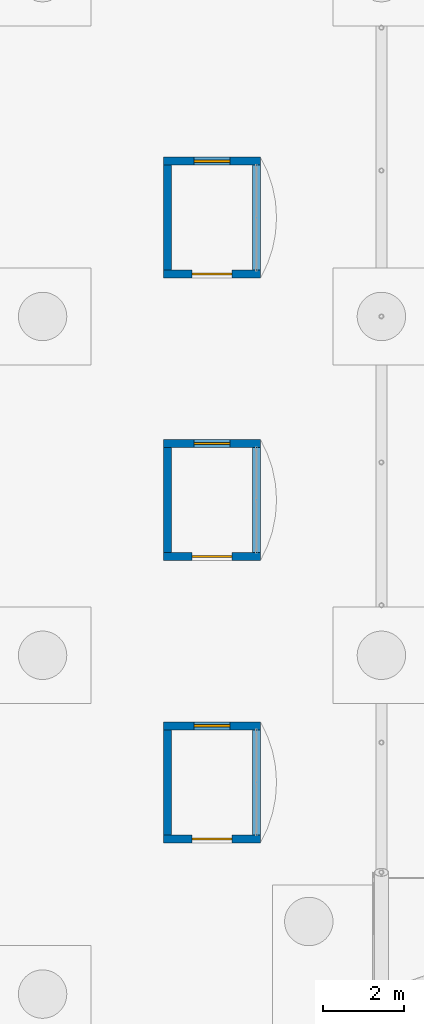
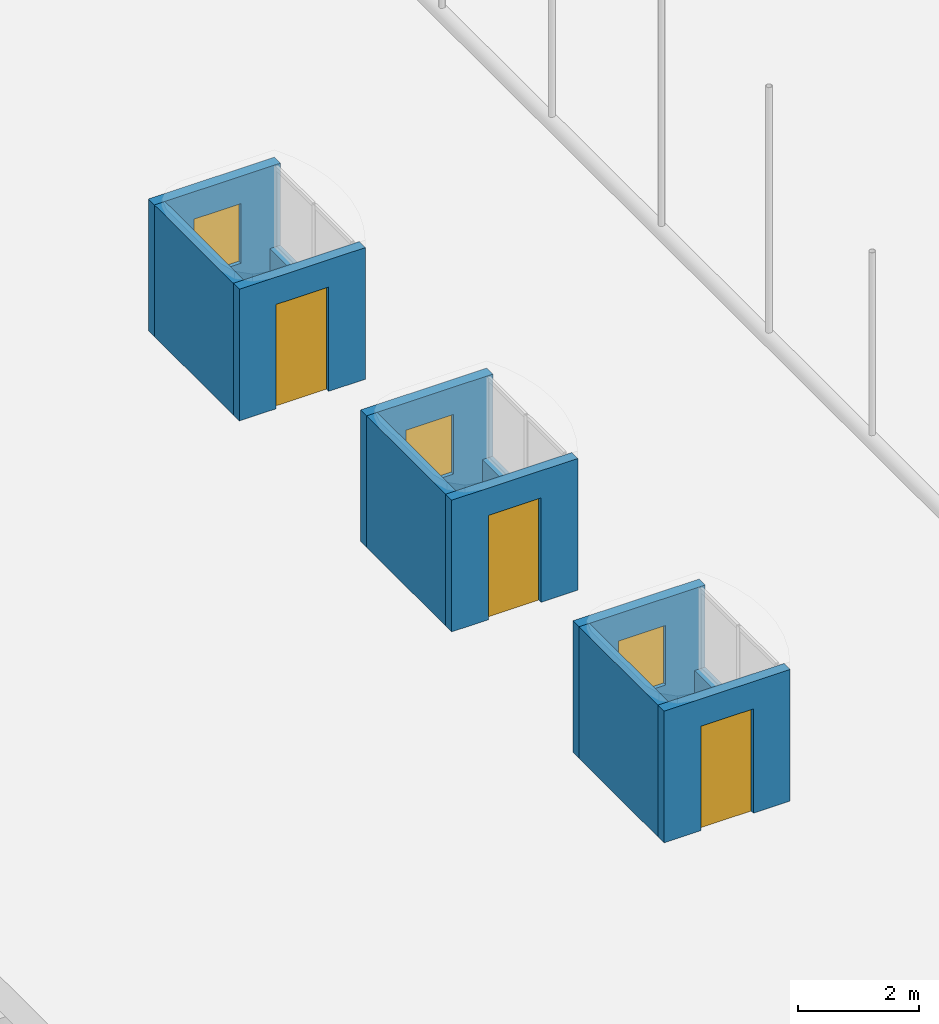
# One storey, part 179 of 212: 12 walls, 3 doors, 3 windows, 6 openings.
"""IFC4 building model written with IfcOpenShell, lengths in metres."""

from ifc_helpers import new_model, si_unit, direction, frame, frame_2d, origin, place, context, subcontext, project, spatial, rectangle, extrude, material, layer, layer_set, type_object, element, fill, save


model = new_model("IFC4")

# Units and contexts
model_context = context("Model", 3, precision=1e-05, world=origin(), true_north=direction((0.0, 1.0)))
body_context = subcontext(model_context, "Body", "Model", "MODEL_VIEW")
ifc_project = project(units=[si_unit("LENGTHUNIT", "METRE"), si_unit("AREAUNIT", "SQUARE_METRE"), si_unit("VOLUMEUNIT", "CUBIC_METRE"), si_unit("PLANEANGLEUNIT", "RADIAN"), si_unit("MASSUNIT", "GRAM", prefix="KILO")], contexts=[model_context])

# Site, building, storey
site_placement = place(None, origin())
site = spatial("IfcSite", under=ifc_project, at=site_placement, CompositionType="ELEMENT")
building_placement = place(site_placement, origin())
building = spatial("IfcBuilding", under=site, at=building_placement, Name="Catenary Quay Ferry Terminal", CompositionType="ELEMENT")
storey_placement = place(building_placement, origin())
storey = spatial("IfcBuildingStorey", under=building, at=storey_placement, Name="L00", CompositionType="ELEMENT", Elevation=0.0)

# Wall, opening, door
ifc_material_1 = material(Name="Masonry and insulation", Category="masonry")
ifc_layer = layer(ifc_material_1, 0.199951171875)
ifc_layer_set = layer_set([ifc_layer], Name="EW3")
wall_type = type_object("IfcWallType", Name="EW3", PredefinedType="SOLIDWALL", material=ifc_layer_set)
wall_1_placement = place(storey_placement, frame((11.39990234375, 20.64990234375, 0.0), z_axis=(0.0, 0.0, 1.0), x_axis=(1.0, 0.0, 0.0)))
wall_1 = element("IfcWall", 1, at=wall_1_placement, inside=storey, type_object=wall_type, Name="Booth wall WL234", PredefinedType="SOLIDWALL", context=body_context, shape_type="SweptSolid", body=[
    extrude(rectangle(XDim=2.400146484375, YDim=0.199951171875, at=frame_2d((1.2001953125, 0.0))), origin(), (0.0, 0.0, 1.0), 2.64990234375),
])
opening_1_placement = place(wall_1_placement, frame((0.699951171875, 0.0, 0.0)))
opening_1 = element("IfcOpeningElement", 2, at=opening_1_placement, cuts=wall_1, Name="Opening D36", PredefinedType="OPENING", context=body_context, shape_type="SweptSolid", body=[
    extrude(rectangle(XDim=1.0, YDim=2.10009765625, at=frame_2d((0.5, 1.050048828125))), frame((0.0, 0.10986328125, 0.0), z_axis=(0.0, -1.0, 0.0), x_axis=(1.0, 0.0, 0.0)), (0.0, 0.0, 1.0), 0.219970703125),
])
ifc_material_2 = material(Name="Steel", Category="steel")
door_type = type_object("IfcDoorType", Name="DX8", OperationType="SINGLE_SWING_LEFT", PredefinedType="DOOR", material=ifc_material_2)
door_1_placement = place(opening_1_placement, frame((1.0, 0.0, 0.0), z_axis=(0.0, 0.0, 1.0), x_axis=(-1.0, 0.0, 0.0)))
door_1 = element("IfcDoor", 3, at=door_1_placement, inside=storey, type_object=door_type, Name="Booth door D36", OperationType="SINGLE_SWING_RIGHT", OverallHeight=2.10009765625, OverallWidth=1.0, PredefinedType="DOOR", context=body_context, shape_type="SweptSolid", body=[
    extrude(rectangle(XDim=1.0, YDim=2.10009765625, at=frame_2d((0.5, 1.050048828125))), frame((0.0, 0.02490234375, 0.0), z_axis=(0.0, -1.0, 0.0), x_axis=(1.0, 0.0, 0.0)), (0.0, 0.0, 1.0), 0.050048828125),
])
fill(opening_1, door_1)

# Wall, opening, window
wall_2_placement = place(storey_placement, frame((11.39990234375, 23.449951171875, 0.0), z_axis=(0.0, 0.0, 1.0), x_axis=(1.0, 0.0, 0.0)))
wall_2 = element("IfcWall", 4, at=wall_2_placement, inside=storey, type_object=wall_type, Name="Booth wall WL235", PredefinedType="SOLIDWALL", context=body_context, shape_type="SweptSolid", body=[
    extrude(rectangle(XDim=2.400146484375, YDim=0.199951171875, at=frame_2d((1.2001953125, 0.0))), origin(), (0.0, 0.0, 1.0), 2.64990234375),
])
opening_2_placement = place(wall_2_placement, frame((0.75, 0.0, 0.89990234375)))
opening_2 = element("IfcOpeningElement", 5, at=opening_2_placement, cuts=wall_2, Name="Opening W48", PredefinedType="OPENING", context=body_context, shape_type="SweptSolid", body=[
    extrude(rectangle(XDim=0.89990234375, YDim=1.199951171875, at=frame_2d((0.449951171875, 0.60009765625))), frame((0.0, 0.10986328125, 0.0), z_axis=(0.0, -1.0, 0.0), x_axis=(1.0, 0.0, 0.0)), (0.0, 0.0, 1.0), 0.219970703125),
])
ifc_material_3 = material(Name="Aluminium and glass", Category="aluminium")
window_type = type_object("IfcWindowType", Name="WB2", PartitioningType="SINGLE_PANEL", PredefinedType="WINDOW", material=ifc_material_3)
window_1_placement = place(opening_2_placement, origin())
window_1 = element("IfcWindow", 6, at=window_1_placement, inside=storey, type_object=window_type, Name="Booth side window W48", OverallHeight=1.199951171875, OverallWidth=0.89990234375, PartitioningType="SINGLE_PANEL", PredefinedType="WINDOW", context=body_context, shape_type="SweptSolid", body=[
    extrude(rectangle(XDim=0.89990234375, YDim=1.199951171875, at=frame_2d((0.449951171875, 0.60009765625))), frame((0.0, 0.030029296875, 0.0), z_axis=(0.0, -1.0, 0.0), x_axis=(1.0, 0.0, 0.0)), (0.0, 0.0, 1.0), 0.06005859375),
])
fill(opening_2, window_1)

# Walls
wall_3_placement = place(storey_placement, frame((11.5, 20.75, 0.0), z_axis=(0.0, 0.0, 1.0), x_axis=(0.0, 1.0, 0.0)))
element("IfcWall", 7, at=wall_3_placement, inside=storey, type_object=wall_type, Name="Booth wall WL236", PredefinedType="SOLIDWALL", context=body_context, shape_type="SweptSolid", body=[
    extrude(rectangle(XDim=2.60009765625, YDim=0.199951171875, at=frame_2d((1.300048828125, 0.0))), origin(), (0.0, 0.0, 1.0), 2.64990234375),
])
wall_4_placement = place(storey_placement, frame((13.699951171875, 20.75, 0.0), z_axis=(0.0, 0.0, 1.0), x_axis=(0.0, 1.0, 0.0)))
element("IfcWall", 8, at=wall_4_placement, inside=storey, type_object=wall_type, Name="Booth wall WL237", PredefinedType="SOLIDWALL", context=body_context, shape_type="SweptSolid", body=[
    extrude(rectangle(XDim=2.60009765625, YDim=0.199951171875, at=frame_2d((1.300048828125, 0.0))), origin(), (0.0, 0.0, 1.0), 1.0),
])

# Wall, opening, door
wall_5_placement = place(storey_placement, frame((11.39990234375, 27.64990234375, 0.0), z_axis=(0.0, 0.0, 1.0), x_axis=(1.0, 0.0, 0.0)))
wall_5 = element("IfcWall", 9, at=wall_5_placement, inside=storey, type_object=wall_type, Name="Booth wall WL238", PredefinedType="SOLIDWALL", context=body_context, shape_type="SweptSolid", body=[
    extrude(rectangle(XDim=2.400146484375, YDim=0.199951171875, at=frame_2d((1.2001953125, 0.0))), origin(), (0.0, 0.0, 1.0), 2.64990234375),
])
opening_3_placement = place(wall_5_placement, frame((0.699951171875, 0.0, 0.0)))
opening_3 = element("IfcOpeningElement", 10, at=opening_3_placement, cuts=wall_5, Name="Opening D37", PredefinedType="OPENING", context=body_context, shape_type="SweptSolid", body=[
    extrude(rectangle(XDim=1.0, YDim=2.10009765625, at=frame_2d((0.5, 1.050048828125))), frame((0.0, 0.10986328125, 0.0), z_axis=(0.0, -1.0, 0.0), x_axis=(1.0, 0.0, 0.0)), (0.0, 0.0, 1.0), 0.219970703125),
])
door_2_placement = place(opening_3_placement, frame((1.0, 0.0, 0.0), z_axis=(0.0, 0.0, 1.0), x_axis=(-1.0, 0.0, 0.0)))
door_2 = element("IfcDoor", 11, at=door_2_placement, inside=storey, type_object=door_type, Name="Booth door D37", OperationType="SINGLE_SWING_RIGHT", OverallHeight=2.10009765625, OverallWidth=1.0, PredefinedType="DOOR", context=body_context, shape_type="SweptSolid", body=[
    extrude(rectangle(XDim=1.0, YDim=2.10009765625, at=frame_2d((0.5, 1.050048828125))), frame((0.0, 0.02490234375, 0.0), z_axis=(0.0, -1.0, 0.0), x_axis=(1.0, 0.0, 0.0)), (0.0, 0.0, 1.0), 0.050048828125),
])
fill(opening_3, door_2)

# Wall, opening, window
wall_6_placement = place(storey_placement, frame((11.39990234375, 30.449951171875, 0.0), z_axis=(0.0, 0.0, 1.0), x_axis=(1.0, 0.0, 0.0)))
wall_6 = element("IfcWall", 12, at=wall_6_placement, inside=storey, type_object=wall_type, Name="Booth wall WL239", PredefinedType="SOLIDWALL", context=body_context, shape_type="SweptSolid", body=[
    extrude(rectangle(XDim=2.400146484375, YDim=0.199951171875, at=frame_2d((1.2001953125, 0.0))), origin(), (0.0, 0.0, 1.0), 2.64990234375),
])
opening_4_placement = place(wall_6_placement, frame((0.75, 0.0, 0.89990234375)))
opening_4 = element("IfcOpeningElement", 13, at=opening_4_placement, cuts=wall_6, Name="Opening W49", PredefinedType="OPENING", context=body_context, shape_type="SweptSolid", body=[
    extrude(rectangle(XDim=0.89990234375, YDim=1.199951171875, at=frame_2d((0.449951171875, 0.60009765625))), frame((0.0, 0.10986328125, 0.0), z_axis=(0.0, -1.0, 0.0), x_axis=(1.0, 0.0, 0.0)), (0.0, 0.0, 1.0), 0.219970703125),
])
window_2_placement = place(opening_4_placement, origin())
window_2 = element("IfcWindow", 14, at=window_2_placement, inside=storey, type_object=window_type, Name="Booth side window W49", OverallHeight=1.199951171875, OverallWidth=0.89990234375, PartitioningType="SINGLE_PANEL", PredefinedType="WINDOW", context=body_context, shape_type="SweptSolid", body=[
    extrude(rectangle(XDim=0.89990234375, YDim=1.199951171875, at=frame_2d((0.449951171875, 0.60009765625))), frame((0.0, 0.030029296875, 0.0), z_axis=(0.0, -1.0, 0.0), x_axis=(1.0, 0.0, 0.0)), (0.0, 0.0, 1.0), 0.06005859375),
])
fill(opening_4, window_2)

# Walls
wall_7_placement = place(storey_placement, frame((11.5, 27.75, 0.0), z_axis=(0.0, 0.0, 1.0), x_axis=(0.0, 1.0, 0.0)))
element("IfcWall", 15, at=wall_7_placement, inside=storey, type_object=wall_type, Name="Booth wall WL240", PredefinedType="SOLIDWALL", context=body_context, shape_type="SweptSolid", body=[
    extrude(rectangle(XDim=2.60009765625, YDim=0.199951171875, at=frame_2d((1.300048828125, 0.0))), origin(), (0.0, 0.0, 1.0), 2.64990234375),
])
wall_8_placement = place(storey_placement, frame((13.699951171875, 27.75, 0.0), z_axis=(0.0, 0.0, 1.0), x_axis=(0.0, 1.0, 0.0)))
element("IfcWall", 16, at=wall_8_placement, inside=storey, type_object=wall_type, Name="Booth wall WL241", PredefinedType="SOLIDWALL", context=body_context, shape_type="SweptSolid", body=[
    extrude(rectangle(XDim=2.60009765625, YDim=0.199951171875, at=frame_2d((1.300048828125, 0.0))), origin(), (0.0, 0.0, 1.0), 1.0),
])

# Wall, opening, door
wall_9_placement = place(storey_placement, frame((11.39990234375, 34.64990234375, 0.0), z_axis=(0.0, 0.0, 1.0), x_axis=(1.0, 0.0, 0.0)))
wall_9 = element("IfcWall", 17, at=wall_9_placement, inside=storey, type_object=wall_type, Name="Booth wall WL242", PredefinedType="SOLIDWALL", context=body_context, shape_type="SweptSolid", body=[
    extrude(rectangle(XDim=2.400146484375, YDim=0.199951171875, at=frame_2d((1.2001953125, 0.0))), origin(), (0.0, 0.0, 1.0), 2.64990234375),
])
opening_5_placement = place(wall_9_placement, frame((0.699951171875, 0.0, 0.0)))
opening_5 = element("IfcOpeningElement", 18, at=opening_5_placement, cuts=wall_9, Name="Opening D38", PredefinedType="OPENING", context=body_context, shape_type="SweptSolid", body=[
    extrude(rectangle(XDim=1.0, YDim=2.10009765625, at=frame_2d((0.5, 1.050048828125))), frame((0.0, 0.10986328125, 0.0), z_axis=(0.0, -1.0, 0.0), x_axis=(1.0, 0.0, 0.0)), (0.0, 0.0, 1.0), 0.219970703125),
])
door_3_placement = place(opening_5_placement, frame((1.0, 0.0, 0.0), z_axis=(0.0, 0.0, 1.0), x_axis=(-1.0, 0.0, 0.0)))
door_3 = element("IfcDoor", 19, at=door_3_placement, inside=storey, type_object=door_type, Name="Booth door D38", OperationType="SINGLE_SWING_RIGHT", OverallHeight=2.10009765625, OverallWidth=1.0, PredefinedType="DOOR", context=body_context, shape_type="SweptSolid", body=[
    extrude(rectangle(XDim=1.0, YDim=2.10009765625, at=frame_2d((0.5, 1.050048828125))), frame((0.0, 0.02490234375, 0.0), z_axis=(0.0, -1.0, 0.0), x_axis=(1.0, 0.0, 0.0)), (0.0, 0.0, 1.0), 0.050048828125),
])
fill(opening_5, door_3)

# Wall, opening, window
wall_10_placement = place(storey_placement, frame((11.39990234375, 37.449951171875, 0.0), z_axis=(0.0, 0.0, 1.0), x_axis=(1.0, 0.0, 0.0)))
wall_10 = element("IfcWall", 20, at=wall_10_placement, inside=storey, type_object=wall_type, Name="Booth wall WL243", PredefinedType="SOLIDWALL", context=body_context, shape_type="SweptSolid", body=[
    extrude(rectangle(XDim=2.400146484375, YDim=0.199951171875, at=frame_2d((1.2001953125, 0.0))), origin(), (0.0, 0.0, 1.0), 2.64990234375),
])
opening_6_placement = place(wall_10_placement, frame((0.75, 0.0, 0.89990234375)))
opening_6 = element("IfcOpeningElement", 21, at=opening_6_placement, cuts=wall_10, Name="Opening W50", PredefinedType="OPENING", context=body_context, shape_type="SweptSolid", body=[
    extrude(rectangle(XDim=0.89990234375, YDim=1.199951171875, at=frame_2d((0.449951171875, 0.60009765625))), frame((0.0, 0.10986328125, 0.0), z_axis=(0.0, -1.0, 0.0), x_axis=(1.0, 0.0, 0.0)), (0.0, 0.0, 1.0), 0.219970703125),
])
window_3_placement = place(opening_6_placement, origin())
window_3 = element("IfcWindow", 22, at=window_3_placement, inside=storey, type_object=window_type, Name="Booth side window W50", OverallHeight=1.199951171875, OverallWidth=0.89990234375, PartitioningType="SINGLE_PANEL", PredefinedType="WINDOW", context=body_context, shape_type="SweptSolid", body=[
    extrude(rectangle(XDim=0.89990234375, YDim=1.199951171875, at=frame_2d((0.449951171875, 0.60009765625))), frame((0.0, 0.030029296875, 0.0), z_axis=(0.0, -1.0, 0.0), x_axis=(1.0, 0.0, 0.0)), (0.0, 0.0, 1.0), 0.06005859375),
])
fill(opening_6, window_3)

# Walls
wall_11_placement = place(storey_placement, frame((11.5, 34.75, 0.0), z_axis=(0.0, 0.0, 1.0), x_axis=(0.0, 1.0, 0.0)))
element("IfcWall", 23, at=wall_11_placement, inside=storey, type_object=wall_type, Name="Booth wall WL244", PredefinedType="SOLIDWALL", context=body_context, shape_type="SweptSolid", body=[
    extrude(rectangle(XDim=2.60009765625, YDim=0.199951171875, at=frame_2d((1.300048828125, 0.0))), origin(), (0.0, 0.0, 1.0), 2.64990234375),
])
wall_12_placement = place(storey_placement, frame((13.699951171875, 34.75, 0.0), z_axis=(0.0, 0.0, 1.0), x_axis=(0.0, 1.0, 0.0)))
element("IfcWall", 24, at=wall_12_placement, inside=storey, type_object=wall_type, Name="Booth wall WL245", PredefinedType="SOLIDWALL", context=body_context, shape_type="SweptSolid", body=[
    extrude(rectangle(XDim=2.60009765625, YDim=0.199951171875, at=frame_2d((1.300048828125, 0.0))), origin(), (0.0, 0.0, 1.0), 1.0),
])

save(model, "model.ifc")
